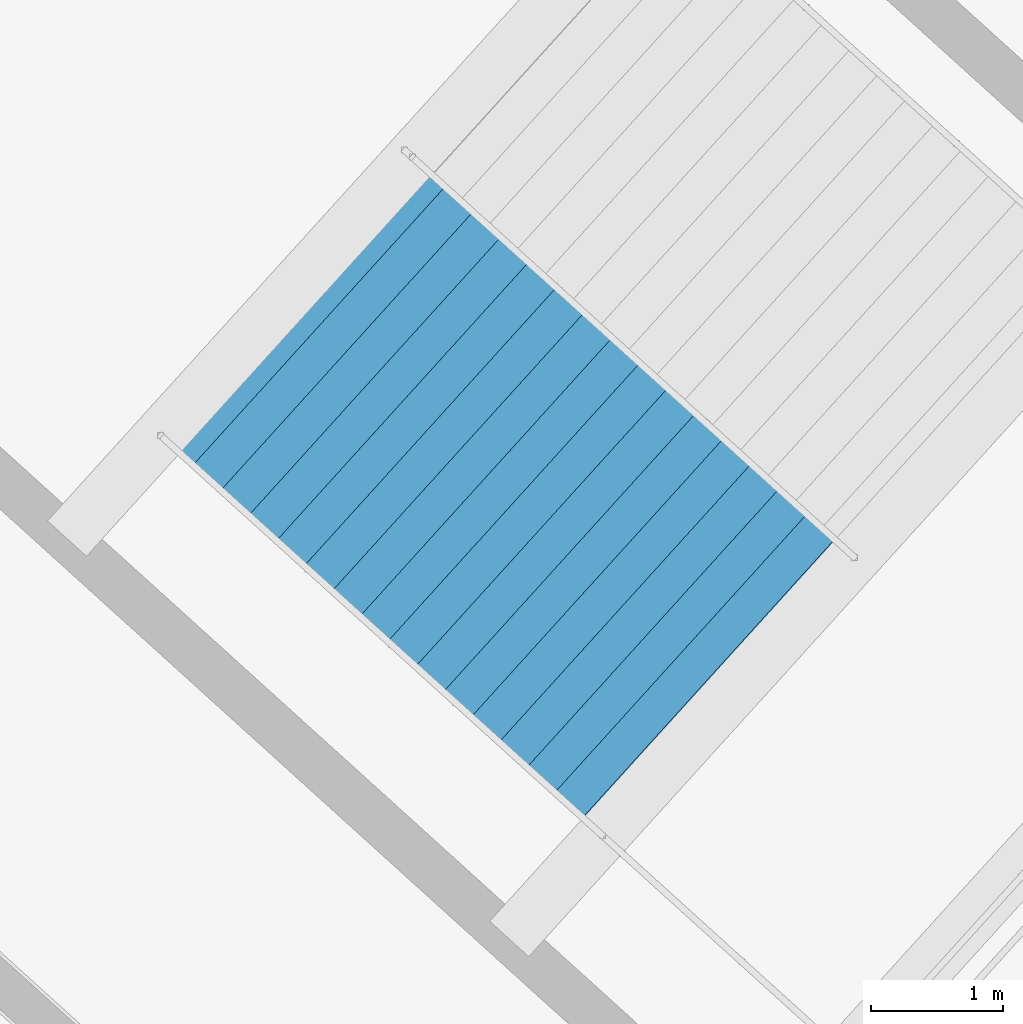
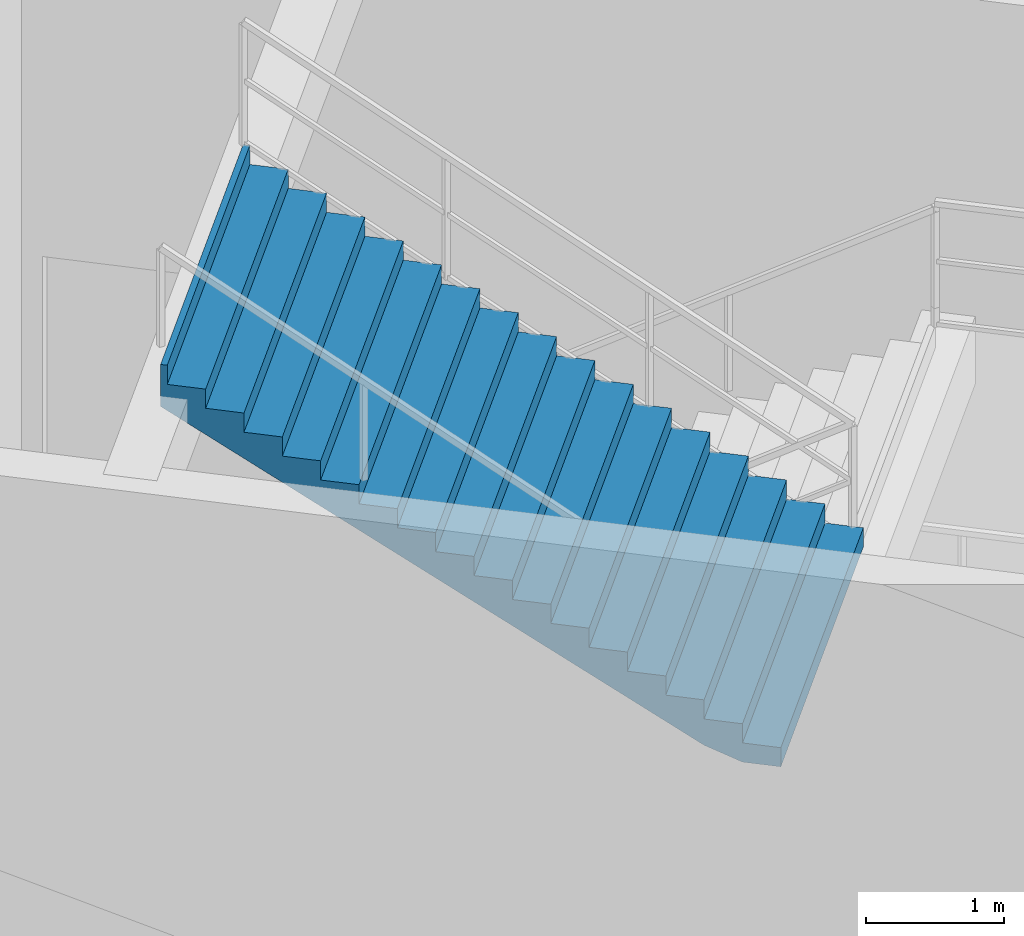
# One storey, part 19 of 48: 1 stair flight, 1 element without a shape of its own.
"""IFC4 building model written with IfcOpenShell, lengths in metres."""

from ifc_helpers import new_model, si_unit, direction, frame, origin, place, context, subcontext, project, spatial, polygons, material, type_object, element, aggregate, save


model = new_model("IFC4")

# Units and contexts
model_context = context("Model", 3, precision=1e-05, world=origin(), true_north=direction((0.0, 1.0)))
body_context = subcontext(model_context, "Body", "Model", "MODEL_VIEW")
ifc_project = project(units=[si_unit("LENGTHUNIT", "METRE"), si_unit("AREAUNIT", "SQUARE_METRE"), si_unit("VOLUMEUNIT", "CUBIC_METRE"), si_unit("PLANEANGLEUNIT", "RADIAN"), si_unit("MASSUNIT", "GRAM", prefix="KILO")], contexts=[model_context])

# Site, building, storey
site_placement = place(None, origin())
site = spatial("IfcSite", under=ifc_project, at=site_placement, CompositionType="ELEMENT")
building_placement = place(site_placement, origin())
building = spatial("IfcBuilding", under=site, at=building_placement, Name="Kazemori Nagisa Stadium", CompositionType="ELEMENT")
storey_placement = place(building_placement, origin())
storey = spatial("IfcBuildingStorey", under=building, at=storey_placement, Name="L00", CompositionType="ELEMENT", Elevation=0.0)

# Stair, stair flight
ifc_material = material(Name="Concrete C36/45 (Fc36)", Category="concrete")
stair_type = type_object("IfcStairType", Name="Stair_CORE_34", PredefinedType="TWO_STRAIGHT_RUN_STAIR", material=ifc_material)
stair_placement = place(storey_placement, origin())
stair = element("IfcStair", 1, at=stair_placement, inside=storey, type_object=stair_type, Name="Exit stair ST03 L00", PredefinedType="TWO_STRAIGHT_RUN_STAIR")
stair_flight_type = type_object("IfcStairFlightType", Name="Flight_CORE_17", PredefinedType="STRAIGHT", material=ifc_material)
stair_flight_placement = place(storey_placement, frame((55.672119140625, 42.402587890625, 2.889892578125), z_axis=(0.0, 0.0, 1.0), x_axis=(-0.741331527132, 0.671139007121, 0.0)))
stair_flight = element("IfcStairFlight", 2, at=stair_flight_placement, type_object=stair_flight_type, Name="Exit stair ST03 L00 flight 2", NumberOfRisers=17, NumberOfTreads=16, PredefinedType="STRAIGHT", RiserHeight=0.17, TreadLength=0.285, context=body_context, shape_type="Tessellation", body=[
    polygons([(0.0, -1.425048828125, 0.0), (0.0, -1.425048828125, 0.169921875), (0.284912109375, -1.425048828125, 0.169921875), (0.284912109375, -1.425048828125, 0.340087890625), (0.570068359375, -1.425048828125, 0.340087890625), (0.570068359375, -1.425048828125, 0.510009765625), (0.85498046875, -1.425048828125, 0.510009765625), (0.85498046875, -1.425048828125, 0.679931640625), (1.139892578125, -1.425048828125, 0.679931640625), (1.139892578125, -1.425048828125, 0.85009765625), (1.425048828125, -1.425048828125, 0.85009765625), (1.425048828125, -1.425048828125, 1.02001953125), (1.7099609375, -1.425048828125, 1.02001953125), (1.7099609375, -1.425048828125, 1.18994140625), (1.9951171875, -1.425048828125, 1.18994140625), (1.9951171875, -1.425048828125, 1.360107421875), (2.280029296875, -1.425048828125, 1.360107421875), (2.280029296875, -1.425048828125, 1.530029296875), (2.56494140625, -1.425048828125, 1.530029296875), (2.56494140625, -1.425048828125, 1.699951171875), (2.85009765625, -1.425048828125, 1.699951171875), (2.85009765625, -1.425048828125, 1.8701171875), (3.135009765625, -1.425048828125, 1.8701171875), (3.135009765625, -1.425048828125, 2.0400390625), (3.419921875, -1.425048828125, 2.0400390625), (3.419921875, -1.425048828125, 2.2099609375), (3.705078125, -1.425048828125, 2.2099609375), (3.705078125, -1.425048828125, 2.3798828125), (3.989990234375, -1.425048828125, 2.3798828125), (3.989990234375, -1.425048828125, 2.550048828125), (4.27490234375, -1.425048828125, 2.550048828125), (4.27490234375, -1.425048828125, 2.719970703125), (4.56005859375, -1.425048828125, 2.719970703125), (4.56005859375, -1.425048828125, 2.889892578125), (4.610107421875, -1.425048828125, 2.889892578125), (4.610107421875, -1.425048828125, 2.51708984375), (4.56005859375, -1.425048828125, 2.487060546875), (4.27490234375, -1.425048828125, 2.317138671875), (3.989990234375, -1.425048828125, 2.147216796875), (3.705078125, -1.425048828125, 1.977294921875), (3.419921875, -1.425048828125, 1.80712890625), (3.135009765625, -1.425048828125, 1.63720703125), (2.85009765625, -1.425048828125, 1.46728515625), (2.56494140625, -1.425048828125, 1.297119140625), (2.280029296875, -1.425048828125, 1.127197265625), (1.9951171875, -1.425048828125, 0.957275390625), (1.7099609375, -1.425048828125, 0.787109375), (1.425048828125, -1.425048828125, 0.6171875), (1.139892578125, -1.425048828125, 0.447265625), (0.85498046875, -1.425048828125, 0.277099609375), (0.570068359375, -1.425048828125, 0.107177734375), (0.284912109375, -1.425048828125, 0.0), (0.0, -0.08544921875, 0.0), (0.0, -0.08544921875, 0.169921875), (0.284912109375, -0.08544921875, 0.169921875), (0.284912109375, -0.08544921875, 0.340087890625), (0.570068359375, -0.08544921875, 0.340087890625), (0.570068359375, -0.08544921875, 0.510009765625), (0.85498046875, -0.08544921875, 0.510009765625), (0.85498046875, -0.08544921875, 0.679931640625), (1.139892578125, -0.08544921875, 0.679931640625), (1.139892578125, -0.08544921875, 0.85009765625), (1.425048828125, -0.08544921875, 0.85009765625), (1.425048828125, -0.08544921875, 1.02001953125), (1.7099609375, -0.08544921875, 1.02001953125), (1.7099609375, -0.08544921875, 1.18994140625), (1.9951171875, -0.08544921875, 1.18994140625), (1.9951171875, -0.08544921875, 1.360107421875), (2.280029296875, -0.08544921875, 1.360107421875), (2.280029296875, -0.08544921875, 1.530029296875), (2.56494140625, -0.08544921875, 1.530029296875), (2.56494140625, -0.08544921875, 1.699951171875), (2.85009765625, -0.08544921875, 1.699951171875), (2.85009765625, -0.08544921875, 1.8701171875), (3.135009765625, -0.08544921875, 1.8701171875), (3.135009765625, -0.08544921875, 2.0400390625), (3.419921875, -0.08544921875, 2.0400390625), (3.419921875, -0.08544921875, 2.2099609375), (3.705078125, -0.08544921875, 2.2099609375), (3.705078125, -0.08544921875, 2.3798828125), (3.989990234375, -0.08544921875, 2.3798828125), (3.989990234375, -0.08544921875, 2.550048828125), (4.27490234375, -0.08544921875, 2.550048828125), (4.27490234375, -0.08544921875, 2.719970703125), (4.56005859375, -0.08544921875, 2.719970703125), (4.56005859375, -0.08544921875, 2.889892578125), (4.610107421875, -0.08544921875, 2.889892578125), (4.610107421875, -0.08544921875, 2.51708984375), (4.56005859375, -0.08544921875, 2.487060546875), (4.27490234375, -0.08544921875, 2.317138671875), (3.989990234375, -0.08544921875, 2.147216796875), (3.705078125, -0.08544921875, 1.977294921875), (3.419921875, -0.08544921875, 1.80712890625), (3.135009765625, -0.08544921875, 1.63720703125), (2.85009765625, -0.08544921875, 1.46728515625), (2.56494140625, -0.08544921875, 1.297119140625), (2.280029296875, -0.08544921875, 1.127197265625), (1.9951171875, -0.08544921875, 0.957275390625), (1.7099609375, -0.08544921875, 0.787109375), (1.425048828125, -0.08544921875, 0.6171875), (1.139892578125, -0.08544921875, 0.447265625), (0.85498046875, -0.08544921875, 0.277099609375), (0.570068359375, -0.08544921875, 0.107177734375), (0.284912109375, -0.08544921875, 0.0), (0.0, 0.0, 0.0), (0.0, 0.0, 0.169921875), (0.284912109375, 0.0, 0.169921875), (0.284912109375, 0.0, 0.340087890625), (0.570068359375, 0.0, 0.340087890625), (0.570068359375, 0.0, 0.510009765625), (0.85498046875, 0.0, 0.510009765625), (0.85498046875, 0.0, 0.679931640625), (1.139892578125, 0.0, 0.679931640625), (1.139892578125, 0.0, 0.85009765625), (1.425048828125, 0.0, 0.85009765625), (1.425048828125, 0.0, 1.02001953125), (1.7099609375, 0.0, 1.02001953125), (1.7099609375, 0.0, 1.18994140625), (1.9951171875, 0.0, 1.18994140625), (1.9951171875, 0.0, 1.360107421875), (2.280029296875, 0.0, 1.360107421875), (2.280029296875, 0.0, 1.530029296875), (2.56494140625, 0.0, 1.530029296875), (2.56494140625, 0.0, 1.699951171875), (2.85009765625, 0.0, 1.699951171875), (2.85009765625, 0.0, 1.8701171875), (3.135009765625, 0.0, 1.8701171875), (3.135009765625, 0.0, 2.0400390625), (3.419921875, 0.0, 2.0400390625), (3.419921875, 0.0, 2.2099609375), (3.705078125, 0.0, 2.2099609375), (3.705078125, 0.0, 2.3798828125), (3.989990234375, 0.0, 2.3798828125), (3.989990234375, 0.0, 2.550048828125), (4.27490234375, 0.0, 2.550048828125), (4.27490234375, 0.0, 2.719970703125), (4.56005859375, 0.0, 2.719970703125), (4.56005859375, 0.0, 2.889892578125), (4.610107421875, 0.0, 2.889892578125), (4.610107421875, 0.0, 2.51708984375), (4.56005859375, 0.0, 2.487060546875), (4.27490234375, 0.0, 2.317138671875), (3.989990234375, 0.0, 2.147216796875), (3.705078125, 0.0, 1.977294921875), (3.419921875, 0.0, 1.80712890625), (3.135009765625, 0.0, 1.63720703125), (2.85009765625, 0.0, 1.46728515625), (2.56494140625, 0.0, 1.297119140625), (2.280029296875, 0.0, 1.127197265625), (1.9951171875, 0.0, 0.957275390625), (1.7099609375, 0.0, 0.787109375), (1.425048828125, 0.0, 0.6171875), (1.139892578125, 0.0, 0.447265625), (0.85498046875, 0.0, 0.277099609375), (0.570068359375, 0.0, 0.107177734375), (0.284912109375, 0.0, 0.0), (0.0, 0.08544921875, 0.0), (0.0, 0.08544921875, 0.169921875), (0.284912109375, 0.08544921875, 0.169921875), (0.284912109375, 0.08544921875, 0.340087890625), (0.570068359375, 0.08544921875, 0.340087890625), (0.570068359375, 0.08544921875, 0.510009765625), (0.85498046875, 0.08544921875, 0.510009765625), (0.85498046875, 0.08544921875, 0.679931640625), (1.139892578125, 0.08544921875, 0.679931640625), (1.139892578125, 0.08544921875, 0.85009765625), (1.425048828125, 0.08544921875, 0.85009765625), (1.425048828125, 0.08544921875, 1.02001953125), (1.7099609375, 0.08544921875, 1.02001953125), (1.7099609375, 0.08544921875, 1.18994140625), (1.9951171875, 0.08544921875, 1.18994140625), (1.9951171875, 0.08544921875, 1.360107421875), (2.280029296875, 0.08544921875, 1.360107421875), (2.280029296875, 0.08544921875, 1.530029296875), (2.56494140625, 0.08544921875, 1.530029296875), (2.56494140625, 0.08544921875, 1.699951171875), (2.85009765625, 0.08544921875, 1.699951171875), (2.85009765625, 0.08544921875, 1.8701171875), (3.135009765625, 0.08544921875, 1.8701171875), (3.135009765625, 0.08544921875, 2.0400390625), (3.419921875, 0.08544921875, 2.0400390625), (3.419921875, 0.08544921875, 2.2099609375), (3.705078125, 0.08544921875, 2.2099609375), (3.705078125, 0.08544921875, 2.3798828125), (3.989990234375, 0.08544921875, 2.3798828125), (3.989990234375, 0.08544921875, 2.550048828125), (4.27490234375, 0.08544921875, 2.550048828125), (4.27490234375, 0.08544921875, 2.719970703125), (4.56005859375, 0.08544921875, 2.719970703125), (4.56005859375, 0.08544921875, 2.889892578125), (4.610107421875, 0.08544921875, 2.889892578125), (4.610107421875, 0.08544921875, 2.51708984375), (4.56005859375, 0.08544921875, 2.487060546875), (4.27490234375, 0.08544921875, 2.317138671875), (3.989990234375, 0.08544921875, 2.147216796875), (3.705078125, 0.08544921875, 1.977294921875), (3.419921875, 0.08544921875, 1.80712890625), (3.135009765625, 0.08544921875, 1.63720703125), (2.85009765625, 0.08544921875, 1.46728515625), (2.56494140625, 0.08544921875, 1.297119140625), (2.280029296875, 0.08544921875, 1.127197265625), (1.9951171875, 0.08544921875, 0.957275390625), (1.7099609375, 0.08544921875, 0.787109375), (1.425048828125, 0.08544921875, 0.6171875), (1.139892578125, 0.08544921875, 0.447265625), (0.85498046875, 0.08544921875, 0.277099609375), (0.570068359375, 0.08544921875, 0.107177734375), (0.284912109375, 0.08544921875, 0.0), (0.0, 1.425048828125, 0.0), (0.0, 1.425048828125, 0.169921875), (0.284912109375, 1.425048828125, 0.169921875), (0.284912109375, 1.425048828125, 0.340087890625), (0.570068359375, 1.425048828125, 0.340087890625), (0.570068359375, 1.425048828125, 0.510009765625), (0.85498046875, 1.425048828125, 0.510009765625), (0.85498046875, 1.425048828125, 0.679931640625), (1.139892578125, 1.425048828125, 0.679931640625), (1.139892578125, 1.425048828125, 0.85009765625), (1.425048828125, 1.425048828125, 0.85009765625), (1.425048828125, 1.425048828125, 1.02001953125), (1.7099609375, 1.425048828125, 1.02001953125), (1.7099609375, 1.425048828125, 1.18994140625), (1.9951171875, 1.425048828125, 1.18994140625), (1.9951171875, 1.425048828125, 1.360107421875), (2.280029296875, 1.425048828125, 1.360107421875), (2.280029296875, 1.425048828125, 1.530029296875), (2.56494140625, 1.425048828125, 1.530029296875), (2.56494140625, 1.425048828125, 1.699951171875), (2.85009765625, 1.425048828125, 1.699951171875), (2.85009765625, 1.425048828125, 1.8701171875), (3.135009765625, 1.425048828125, 1.8701171875), (3.135009765625, 1.425048828125, 2.0400390625), (3.419921875, 1.425048828125, 2.0400390625), (3.419921875, 1.425048828125, 2.2099609375), (3.705078125, 1.425048828125, 2.2099609375), (3.705078125, 1.425048828125, 2.3798828125), (3.989990234375, 1.425048828125, 2.3798828125), (3.989990234375, 1.425048828125, 2.550048828125), (4.27490234375, 1.425048828125, 2.550048828125), (4.27490234375, 1.425048828125, 2.719970703125), (4.56005859375, 1.425048828125, 2.719970703125), (4.56005859375, 1.425048828125, 2.889892578125), (4.610107421875, 1.425048828125, 2.889892578125), (4.610107421875, 1.425048828125, 2.51708984375), (4.56005859375, 1.425048828125, 2.487060546875), (4.27490234375, 1.425048828125, 2.317138671875), (3.989990234375, 1.425048828125, 2.147216796875), (3.705078125, 1.425048828125, 1.977294921875), (3.419921875, 1.425048828125, 1.80712890625), (3.135009765625, 1.425048828125, 1.63720703125), (2.85009765625, 1.425048828125, 1.46728515625), (2.56494140625, 1.425048828125, 1.297119140625), (2.280029296875, 1.425048828125, 1.127197265625), (1.9951171875, 1.425048828125, 0.957275390625), (1.7099609375, 1.425048828125, 0.787109375), (1.425048828125, 1.425048828125, 0.6171875), (1.139892578125, 1.425048828125, 0.447265625), (0.85498046875, 1.425048828125, 0.277099609375), (0.570068359375, 1.425048828125, 0.107177734375), (0.284912109375, 1.425048828125, 0.0)], [[[1, 2, 54]], [[1, 54, 53]], [[2, 3, 55]], [[2, 55, 54]], [[3, 4, 56]], [[3, 56, 55]], [[4, 5, 57]], [[4, 57, 56]], [[5, 6, 58]], [[5, 58, 57]], [[6, 7, 59]], [[6, 59, 58]], [[7, 8, 60]], [[7, 60, 59]], [[8, 9, 61]], [[8, 61, 60]], [[9, 10, 62]], [[9, 62, 61]], [[10, 11, 63]], [[10, 63, 62]], [[11, 12, 64]], [[11, 64, 63]], [[12, 13, 65]], [[12, 65, 64]], [[13, 14, 66]], [[13, 66, 65]], [[14, 15, 67]], [[14, 67, 66]], [[15, 16, 68]], [[15, 68, 67]], [[16, 17, 69]], [[16, 69, 68]], [[17, 18, 70]], [[17, 70, 69]], [[18, 19, 71]], [[18, 71, 70]], [[19, 20, 72]], [[19, 72, 71]], [[20, 21, 73]], [[20, 73, 72]], [[21, 22, 74]], [[21, 74, 73]], [[22, 23, 75]], [[22, 75, 74]], [[23, 24, 76]], [[23, 76, 75]], [[24, 25, 77]], [[24, 77, 76]], [[25, 26, 78]], [[25, 78, 77]], [[26, 27, 79]], [[26, 79, 78]], [[27, 28, 80]], [[27, 80, 79]], [[28, 29, 81]], [[28, 81, 80]], [[29, 30, 82]], [[29, 82, 81]], [[30, 31, 83]], [[30, 83, 82]], [[31, 32, 84]], [[31, 84, 83]], [[32, 33, 85]], [[32, 85, 84]], [[33, 34, 86]], [[33, 86, 85]], [[34, 35, 87]], [[34, 87, 86]], [[35, 36, 88]], [[35, 88, 87]], [[36, 37, 89]], [[36, 89, 88]], [[37, 38, 90]], [[37, 90, 89]], [[38, 39, 91]], [[38, 91, 90]], [[39, 40, 92]], [[39, 92, 91]], [[40, 41, 93]], [[40, 93, 92]], [[41, 42, 94]], [[41, 94, 93]], [[42, 43, 95]], [[42, 95, 94]], [[43, 44, 96]], [[43, 96, 95]], [[44, 45, 97]], [[44, 97, 96]], [[45, 46, 98]], [[45, 98, 97]], [[46, 47, 99]], [[46, 99, 98]], [[47, 48, 100]], [[47, 100, 99]], [[48, 49, 101]], [[48, 101, 100]], [[49, 50, 102]], [[49, 102, 101]], [[50, 51, 103]], [[50, 103, 102]], [[51, 52, 104]], [[51, 104, 103]], [[52, 1, 53]], [[52, 53, 104]], [[53, 54, 106]], [[53, 106, 105]], [[54, 55, 107]], [[54, 107, 106]], [[55, 56, 108]], [[55, 108, 107]], [[56, 57, 109]], [[56, 109, 108]], [[57, 58, 110]], [[57, 110, 109]], [[58, 59, 111]], [[58, 111, 110]], [[59, 60, 112]], [[59, 112, 111]], [[60, 61, 113]], [[60, 113, 112]], [[61, 62, 114]], [[61, 114, 113]], [[62, 63, 115]], [[62, 115, 114]], [[63, 64, 116]], [[63, 116, 115]], [[64, 65, 117]], [[64, 117, 116]], [[65, 66, 118]], [[65, 118, 117]], [[66, 67, 119]], [[66, 119, 118]], [[67, 68, 120]], [[67, 120, 119]], [[68, 69, 121]], [[68, 121, 120]], [[69, 70, 122]], [[69, 122, 121]], [[70, 71, 123]], [[70, 123, 122]], [[71, 72, 124]], [[71, 124, 123]], [[72, 73, 125]], [[72, 125, 124]], [[73, 74, 126]], [[73, 126, 125]], [[74, 75, 127]], [[74, 127, 126]], [[75, 76, 128]], [[75, 128, 127]], [[76, 77, 129]], [[76, 129, 128]], [[77, 78, 130]], [[77, 130, 129]], [[78, 79, 131]], [[78, 131, 130]], [[79, 80, 132]], [[79, 132, 131]], [[80, 81, 133]], [[80, 133, 132]], [[81, 82, 134]], [[81, 134, 133]], [[82, 83, 135]], [[82, 135, 134]], [[83, 84, 136]], [[83, 136, 135]], [[84, 85, 137]], [[84, 137, 136]], [[85, 86, 138]], [[85, 138, 137]], [[86, 87, 139]], [[86, 139, 138]], [[87, 88, 140]], [[87, 140, 139]], [[88, 89, 141]], [[88, 141, 140]], [[89, 90, 142]], [[89, 142, 141]], [[90, 91, 143]], [[90, 143, 142]], [[91, 92, 144]], [[91, 144, 143]], [[92, 93, 145]], [[92, 145, 144]], [[93, 94, 146]], [[93, 146, 145]], [[94, 95, 147]], [[94, 147, 146]], [[95, 96, 148]], [[95, 148, 147]], [[96, 97, 149]], [[96, 149, 148]], [[97, 98, 150]], [[97, 150, 149]], [[98, 99, 151]], [[98, 151, 150]], [[99, 100, 152]], [[99, 152, 151]], [[100, 101, 153]], [[100, 153, 152]], [[101, 102, 154]], [[101, 154, 153]], [[102, 103, 155]], [[102, 155, 154]], [[103, 104, 156]], [[103, 156, 155]], [[104, 53, 105]], [[104, 105, 156]], [[105, 106, 158]], [[105, 158, 157]], [[106, 107, 159]], [[106, 159, 158]], [[107, 108, 160]], [[107, 160, 159]], [[108, 109, 161]], [[108, 161, 160]], [[109, 110, 162]], [[109, 162, 161]], [[110, 111, 163]], [[110, 163, 162]], [[111, 112, 164]], [[111, 164, 163]], [[112, 113, 165]], [[112, 165, 164]], [[113, 114, 166]], [[113, 166, 165]], [[114, 115, 167]], [[114, 167, 166]], [[115, 116, 168]], [[115, 168, 167]], [[116, 117, 169]], [[116, 169, 168]], [[117, 118, 170]], [[117, 170, 169]], [[118, 119, 171]], [[118, 171, 170]], [[119, 120, 172]], [[119, 172, 171]], [[120, 121, 173]], [[120, 173, 172]], [[121, 122, 174]], [[121, 174, 173]], [[122, 123, 175]], [[122, 175, 174]], [[123, 124, 176]], [[123, 176, 175]], [[124, 125, 177]], [[124, 177, 176]], [[125, 126, 178]], [[125, 178, 177]], [[126, 127, 179]], [[126, 179, 178]], [[127, 128, 180]], [[127, 180, 179]], [[128, 129, 181]], [[128, 181, 180]], [[129, 130, 182]], [[129, 182, 181]], [[130, 131, 183]], [[130, 183, 182]], [[131, 132, 184]], [[131, 184, 183]], [[132, 133, 185]], [[132, 185, 184]], [[133, 134, 186]], [[133, 186, 185]], [[134, 135, 187]], [[134, 187, 186]], [[135, 136, 188]], [[135, 188, 187]], [[136, 137, 189]], [[136, 189, 188]], [[137, 138, 190]], [[137, 190, 189]], [[138, 139, 191]], [[138, 191, 190]], [[139, 140, 192]], [[139, 192, 191]], [[140, 141, 193]], [[140, 193, 192]], [[141, 142, 194]], [[141, 194, 193]], [[142, 143, 195]], [[142, 195, 194]], [[143, 144, 196]], [[143, 196, 195]], [[144, 145, 197]], [[144, 197, 196]], [[145, 146, 198]], [[145, 198, 197]], [[146, 147, 199]], [[146, 199, 198]], [[147, 148, 200]], [[147, 200, 199]], [[148, 149, 201]], [[148, 201, 200]], [[149, 150, 202]], [[149, 202, 201]], [[150, 151, 203]], [[150, 203, 202]], [[151, 152, 204]], [[151, 204, 203]], [[152, 153, 205]], [[152, 205, 204]], [[153, 154, 206]], [[153, 206, 205]], [[154, 155, 207]], [[154, 207, 206]], [[155, 156, 208]], [[155, 208, 207]], [[156, 105, 157]], [[156, 157, 208]], [[157, 158, 210]], [[157, 210, 209]], [[158, 159, 211]], [[158, 211, 210]], [[159, 160, 212]], [[159, 212, 211]], [[160, 161, 213]], [[160, 213, 212]], [[161, 162, 214]], [[161, 214, 213]], [[162, 163, 215]], [[162, 215, 214]], [[163, 164, 216]], [[163, 216, 215]], [[164, 165, 217]], [[164, 217, 216]], [[165, 166, 218]], [[165, 218, 217]], [[166, 167, 219]], [[166, 219, 218]], [[167, 168, 220]], [[167, 220, 219]], [[168, 169, 221]], [[168, 221, 220]], [[169, 170, 222]], [[169, 222, 221]], [[170, 171, 223]], [[170, 223, 222]], [[171, 172, 224]], [[171, 224, 223]], [[172, 173, 225]], [[172, 225, 224]], [[173, 174, 226]], [[173, 226, 225]], [[174, 175, 227]], [[174, 227, 226]], [[175, 176, 228]], [[175, 228, 227]], [[176, 177, 229]], [[176, 229, 228]], [[177, 178, 230]], [[177, 230, 229]], [[178, 179, 231]], [[178, 231, 230]], [[179, 180, 232]], [[179, 232, 231]], [[180, 181, 233]], [[180, 233, 232]], [[181, 182, 234]], [[181, 234, 233]], [[182, 183, 235]], [[182, 235, 234]], [[183, 184, 236]], [[183, 236, 235]], [[184, 185, 237]], [[184, 237, 236]], [[185, 186, 238]], [[185, 238, 237]], [[186, 187, 239]], [[186, 239, 238]], [[187, 188, 240]], [[187, 240, 239]], [[188, 189, 241]], [[188, 241, 240]], [[189, 190, 242]], [[189, 242, 241]], [[190, 191, 243]], [[190, 243, 242]], [[191, 192, 244]], [[191, 244, 243]], [[192, 193, 245]], [[192, 245, 244]], [[193, 194, 246]], [[193, 246, 245]], [[194, 195, 247]], [[194, 247, 246]], [[195, 196, 248]], [[195, 248, 247]], [[196, 197, 249]], [[196, 249, 248]], [[197, 198, 250]], [[197, 250, 249]], [[198, 199, 251]], [[198, 251, 250]], [[199, 200, 252]], [[199, 252, 251]], [[200, 201, 253]], [[200, 253, 252]], [[201, 202, 254]], [[201, 254, 253]], [[202, 203, 255]], [[202, 255, 254]], [[203, 204, 256]], [[203, 256, 255]], [[204, 205, 257]], [[204, 257, 256]], [[205, 206, 258]], [[205, 258, 257]], [[206, 207, 259]], [[206, 259, 258]], [[207, 208, 260]], [[207, 260, 259]], [[208, 157, 209]], [[208, 209, 260]], [[3, 2, 1]], [[209, 210, 211]], [[52, 3, 1]], [[209, 211, 260]], [[51, 3, 52]], [[260, 211, 259]], [[5, 3, 51]], [[259, 211, 213]], [[5, 4, 3]], [[211, 212, 213]], [[50, 5, 51]], [[259, 213, 258]], [[7, 5, 50]], [[258, 213, 215]], [[7, 6, 5]], [[213, 214, 215]], [[49, 7, 50]], [[258, 215, 257]], [[9, 7, 49]], [[257, 215, 217]], [[9, 8, 7]], [[215, 216, 217]], [[48, 9, 49]], [[257, 217, 256]], [[11, 9, 48]], [[256, 217, 219]], [[11, 10, 9]], [[217, 218, 219]], [[47, 11, 48]], [[256, 219, 255]], [[13, 11, 47]], [[255, 219, 221]], [[13, 12, 11]], [[219, 220, 221]], [[46, 13, 47]], [[255, 221, 254]], [[15, 13, 46]], [[254, 221, 223]], [[15, 14, 13]], [[221, 222, 223]], [[45, 15, 46]], [[254, 223, 253]], [[17, 15, 45]], [[253, 223, 225]], [[17, 16, 15]], [[223, 224, 225]], [[44, 17, 45]], [[253, 225, 252]], [[19, 17, 44]], [[252, 225, 227]], [[19, 18, 17]], [[225, 226, 227]], [[43, 19, 44]], [[252, 227, 251]], [[21, 19, 43]], [[251, 227, 229]], [[21, 20, 19]], [[227, 228, 229]], [[42, 21, 43]], [[251, 229, 250]], [[23, 21, 42]], [[250, 229, 231]], [[23, 22, 21]], [[229, 230, 231]], [[41, 23, 42]], [[250, 231, 249]], [[25, 23, 41]], [[249, 231, 233]], [[25, 24, 23]], [[231, 232, 233]], [[40, 25, 41]], [[249, 233, 248]], [[27, 25, 40]], [[248, 233, 235]], [[27, 26, 25]], [[233, 234, 235]], [[39, 27, 40]], [[248, 235, 247]], [[29, 27, 39]], [[247, 235, 237]], [[29, 28, 27]], [[235, 236, 237]], [[38, 29, 39]], [[247, 237, 246]], [[31, 29, 38]], [[246, 237, 239]], [[31, 30, 29]], [[237, 238, 239]], [[37, 31, 38]], [[246, 239, 245]], [[33, 31, 37]], [[245, 239, 241]], [[33, 32, 31]], [[239, 240, 241]], [[36, 33, 37]], [[245, 241, 244]], [[35, 33, 36]], [[244, 241, 243]], [[35, 34, 33]], [[241, 242, 243]]], closed=True),
])
aggregate(stair, [stair_flight])

save(model, "model.ifc")
